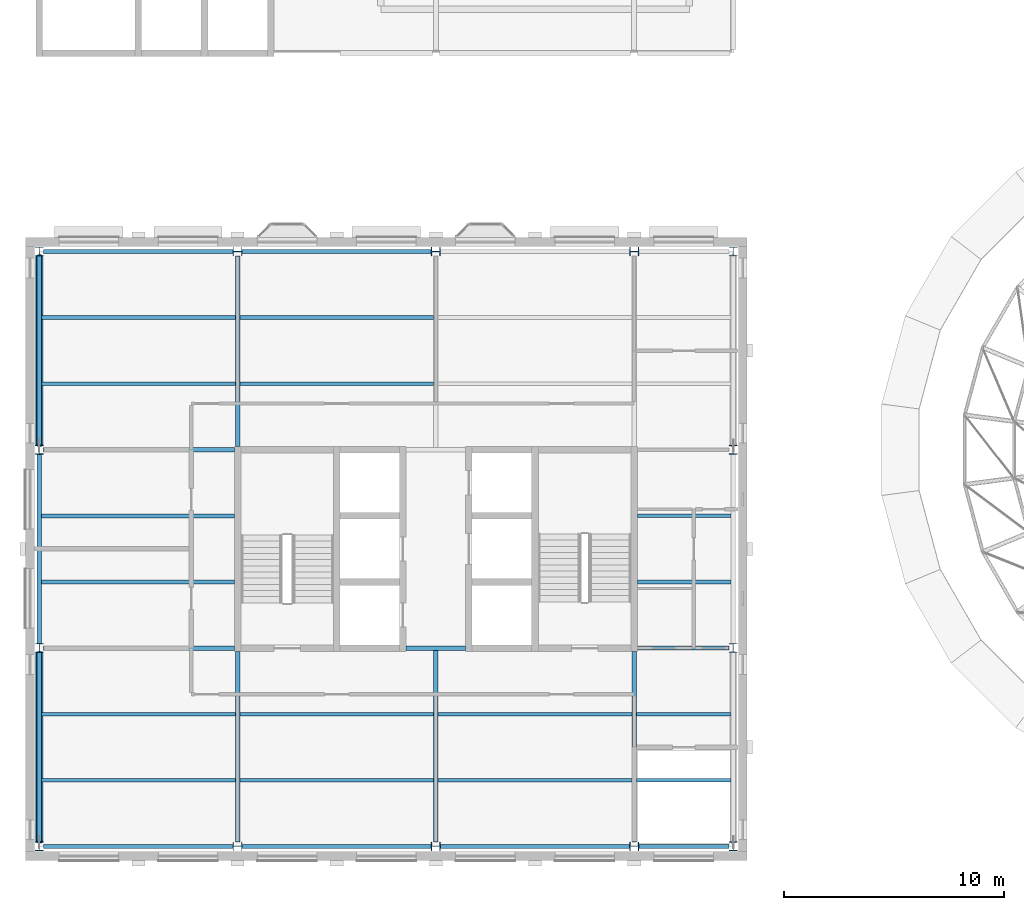
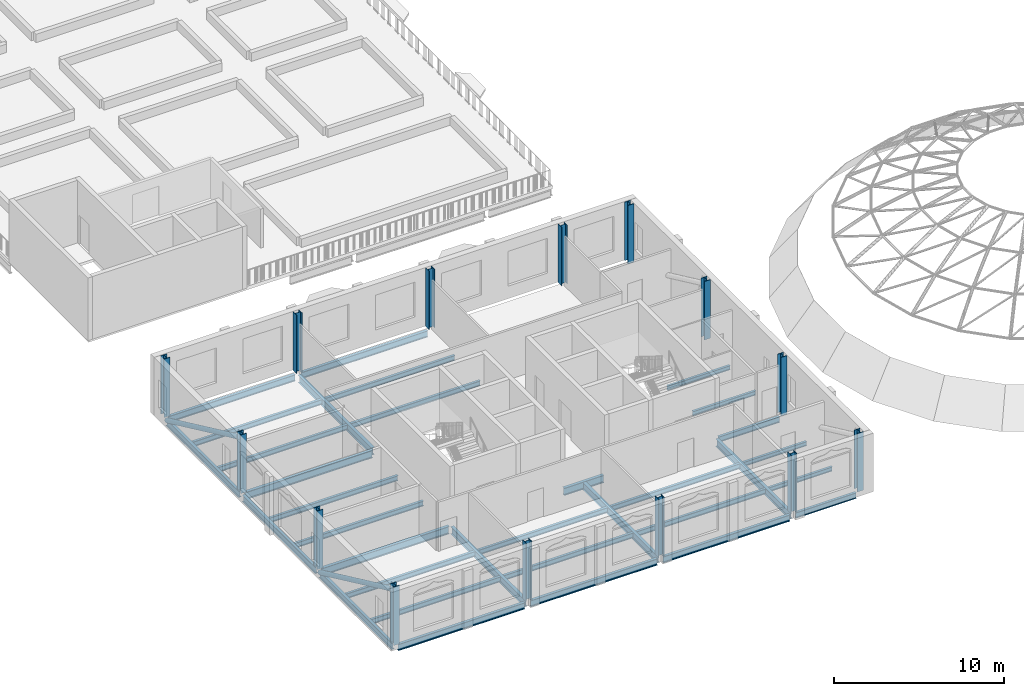
# One storey, part 1 of 33: 33 beams, 14 columns, 2 members.
"""IFC4 building model written with IfcOpenShell, lengths in metres."""

from ifc_helpers import new_model, si_unit, direction, frame, origin, origin_2d, place, context, subcontext, project, spatial, hollow_circle, i_section, extrude, material, material_profile, profile_set, type_object, element, save


model = new_model("IFC4")

# Units and contexts
model_context = context("Model", 3, precision=1e-05, world=origin(), true_north=direction((0.0, 1.0)))
body_context = subcontext(model_context, "Body", "Model", "MODEL_VIEW")
ifc_project = project(units=[si_unit("LENGTHUNIT", "METRE"), si_unit("AREAUNIT", "SQUARE_METRE"), si_unit("VOLUMEUNIT", "CUBIC_METRE"), si_unit("PLANEANGLEUNIT", "RADIAN"), si_unit("MASSUNIT", "GRAM", prefix="KILO")], contexts=[model_context])

# Site, building, storey
site_placement = place(None, origin())
site = spatial("IfcSite", under=ifc_project, at=site_placement, CompositionType="ELEMENT")
building_placement = place(site_placement, origin())
building = spatial("IfcBuilding", under=site, at=building_placement, Name="Hortulan Conservatory and Botanical Research Centre", CompositionType="ELEMENT")
storey_placement = place(building_placement, frame((0.0, 0.0, 19.199951171875)))
storey = spatial("IfcBuildingStorey", under=building, at=storey_placement, Name="L04", CompositionType="ELEMENT", Elevation=19.199951171875)

# Columns
ifc_material_1 = material(Name="Steel Grade 300 (AS/NZS 3679.2, plate AS/NZS 3678, 280 MPa minimum yield)", Category="steel")
ifc_material_profile_1 = material_profile(ifc_material_1, i_section(OverallWidth=0.39990234375, OverallDepth=0.422119140625, WebThickness=0.028076171875, FlangeThickness=0.035888671875, at=origin_2d()), Name="400WC303")
ifc_profile_set_1 = profile_set([ifc_material_profile_1], Name="Steel Grade 300 (AS/NZS 3679.2, plate AS/NZS 3678, 280 MPa minimum yield)")
column_type = type_object("IfcColumnType", Name="Tower Column 400WC303", PredefinedType="COLUMN", material=ifc_profile_set_1)
for number, where, z_axis, x_axis, name in (
    (1, (0.0, 0.0, 0.0), (0.0, 0.0, 1.0), (1.0, 0.0, 0.0), "400WC303 column"),
    (2, (0.0, 9.0, 0.0), (0.0, 0.0, 1.0), (1.0, 0.0, 0.0), "400WC303 column"),
    (3, (0.0, 18.0, 0.0), (0.0, 0.0, 1.0), (1.0, 0.0, 0.0), "400WC303 column"),
    (4, (0.0, 27.0, 0.0), (0.0, 0.0, 1.0), (1.0, 0.0, 0.0), "400WC303 column"),
    (5, (9.0, 0.0, 0.0), (0.0, 0.0, 1.0), (0.0, 1.0, 0.0), "400WC303 column"),
    (6, (9.0, 27.0, 0.0), (0.0, 0.0, 1.0), (0.0, 1.0, 0.0), "400WC303 column"),
    (7, (18.0, 0.0, 0.0), (0.0, 0.0, 1.0), (0.0, 1.0, 0.0), "400WC303 column"),
    (8, (18.0, 27.0, 0.0), (0.0, 0.0, 1.0), (0.0, 1.0, 0.0), "400WC303 column"),
    (9, (27.0, 0.0, 0.0), (0.0, 0.0, 1.0), (0.0, 1.0, 0.0), "400WC303 column"),
    (10, (27.0, 27.0, 0.0), (0.0, 0.0, 1.0), (0.0, 1.0, 0.0), "400WC303 column"),
    (11, (31.5, 0.0, 0.0), (0.0, 0.0, 1.0), (1.0, 0.0, 0.0), "400WC303 column"),
    (12, (31.5, 9.0, 0.0), (0.0, 0.0, 1.0), (1.0, 0.0, 0.0), "400WC303 column"),
    (13, (31.5, 18.0, 0.0), (0.0, 0.0, 1.0), (1.0, 0.0, 0.0), "400WC303 column"),
    (14, (31.5, 27.0, 0.0), (0.0, 0.0, 1.0), (1.0, 0.0, 0.0), "400WC303 column"),
):
    element("IfcColumn", number, at=place(storey_placement, frame(where, z_axis=z_axis, x_axis=x_axis)), inside=storey, type_object=column_type, Name=name, PredefinedType="COLUMN", context=body_context, shape_type="SweptSolid", body=[
        extrude(i_section(OverallWidth=0.39990234375, OverallDepth=0.422119140625, WebThickness=0.028076171875, FlangeThickness=0.035888671875, at=origin_2d()), origin(), (0.0, 0.0, 1.0), 4.199951171875),
    ])

# Members
ifc_material_2 = material(Name="Steel Grade C350L0 (350 MPa, AS/NZS 1163)", Category="steel")
ifc_material_profile_2 = material_profile(ifc_material_2, hollow_circle(Radius=0.161865234375, WallThickness=0.009521484375, at=origin_2d()), Name="323.9x9.5CHS")
ifc_profile_set_2 = profile_set([ifc_material_profile_2], Name="Steel Grade C350L0 (350 MPa, AS/NZS 1163)")
member_type = type_object("IfcMemberType", Name="Brace 323.9x9.5CHS", PredefinedType="BRACE", material=ifc_profile_set_2)
for number, where, z_axis, x_axis, name in (
    (15, (0.0, 8.7890625, -0.261474609375), (0.0, -0.906191046553, 0.422868522293), (1.0, 0.0, 0.0), "323.9x9.5CHS brace"),
    (16, (0.0, 26.7890625, -0.261474609375), (0.0, -0.906191046553, 0.422868522293), (1.0, 0.0, 0.0), "323.9x9.5CHS brace"),
):
    element("IfcMember", number, at=place(storey_placement, frame(where, z_axis=z_axis, x_axis=x_axis)), inside=storey, type_object=member_type, Name=name, PredefinedType="BRACE", context=body_context, shape_type="SweptSolid", body=[
        extrude(hollow_circle(Radius=0.161865234375, WallThickness=0.009521484375, at=origin_2d()), origin(), (0.0, 0.0, 1.0), 9.466064453125),
    ])

# Beams
ifc_material_3 = material(Name="Steel Grade 300PLUS (AS/NZS 3679.1, 280 MPa minimum yield)", Category="steel")
ifc_material_profile_3 = material_profile(ifc_material_3, i_section(OverallWidth=0.177978515625, OverallDepth=0.403076171875, WebThickness=0.007568359375, FlangeThickness=0.010986328125, FilletRadius=0.011474609375, at=origin_2d()), Name="410UB53.7")
ifc_profile_set_3 = profile_set([ifc_material_profile_3], Name="Steel Grade 300PLUS (AS/NZS 3679.1, 280 MPa minimum yield)")
beam_type_1 = type_object("IfcBeamType", Name="Primary Beam 410UB53.7", PredefinedType="BEAM", material=ifc_profile_set_3)
beam_1_placement = place(storey_placement, frame((27.2109375, 0.0, -0.33154296875), z_axis=(1.0, 0.0, 0.0), x_axis=(0.0, 1.0, 0.0)))
element("IfcBeam", 17, at=beam_1_placement, inside=storey, type_object=beam_type_1, Name="410UB53.7 girder", PredefinedType="BEAM", context=body_context, shape_type="SweptSolid", body=[
    extrude(i_section(OverallWidth=0.177978515625, OverallDepth=0.403076171875, WebThickness=0.007568359375, FlangeThickness=0.010986328125, FilletRadius=0.011474609375, at=origin_2d()), origin(), (0.0, 0.0, 1.0), 4.089111328125),
])
beam_2_placement = place(storey_placement, frame((27.14990234375, 9.0, -0.33154296875), z_axis=(1.0, 0.0, 0.0), x_axis=(0.0, 1.0, 0.0)))
element("IfcBeam", 18, at=beam_2_placement, inside=storey, type_object=beam_type_1, Name="410UB53.7 girder", PredefinedType="BEAM", context=body_context, shape_type="SweptSolid", body=[
    extrude(i_section(OverallWidth=0.177978515625, OverallDepth=0.403076171875, WebThickness=0.007568359375, FlangeThickness=0.010986328125, FilletRadius=0.011474609375, at=origin_2d()), origin(), (0.0, 0.0, 1.0), 4.150146484375),
])
ifc_material_profile_4 = material_profile(ifc_material_3, i_section(OverallWidth=0.19091796875, OverallDepth=0.4599609375, WebThickness=0.010009765625, FlangeThickness=0.01611328125, FilletRadius=0.011474609375, at=origin_2d()), Name="460UB82.1")
ifc_profile_set_4 = profile_set([ifc_material_profile_4], Name="Steel Grade 300PLUS (AS/NZS 3679.1, 280 MPa minimum yield)")
beam_type_2 = type_object("IfcBeamType", Name="Primary Beam 460UB82.1", PredefinedType="BEAM", material=ifc_profile_set_4)
beam_3_placement = place(storey_placement, frame((0.0, 0.2109375, -0.35986328125), z_axis=(0.0, 1.0, 0.0), x_axis=(-1.0, 0.0, 0.0)))
element("IfcBeam", 19, at=beam_3_placement, inside=storey, type_object=beam_type_2, Name="460UB82.1 girder", PredefinedType="BEAM", context=body_context, shape_type="SweptSolid", body=[
    extrude(i_section(OverallWidth=0.19091796875, OverallDepth=0.4599609375, WebThickness=0.010009765625, FlangeThickness=0.01611328125, FilletRadius=0.011474609375, at=origin_2d()), origin(), (0.0, 0.0, 1.0), 8.578125),
])
beam_4_placement = place(storey_placement, frame((0.199951171875, 0.0, -0.35986328125), z_axis=(1.0, 0.0, 0.0), x_axis=(0.0, 1.0, 0.0)))
element("IfcBeam", 20, at=beam_4_placement, inside=storey, type_object=beam_type_2, Name="460UB82.1 girder", PredefinedType="BEAM", context=body_context, shape_type="SweptSolid", body=[
    extrude(i_section(OverallWidth=0.19091796875, OverallDepth=0.4599609375, WebThickness=0.010009765625, FlangeThickness=0.01611328125, FilletRadius=0.011474609375, at=origin_2d()), origin(), (0.0, 0.0, 1.0), 8.589111328125),
])
for number, where, z_axis, x_axis, name in (
    (21, (0.0, 9.2109375, -0.35986328125), (0.0, 1.0, 0.0), (-1.0, 0.0, 0.0), "460UB82.1 girder"),
    (22, (0.0, 18.2109375, -0.35986328125), (0.0, 1.0, 0.0), (-1.0, 0.0, 0.0), "460UB82.1 girder"),
):
    element("IfcBeam", number, at=place(storey_placement, frame(where, z_axis=z_axis, x_axis=x_axis)), inside=storey, type_object=beam_type_2, Name=name, PredefinedType="BEAM", context=body_context, shape_type="SweptSolid", body=[
        extrude(i_section(OverallWidth=0.19091796875, OverallDepth=0.4599609375, WebThickness=0.010009765625, FlangeThickness=0.01611328125, FilletRadius=0.011474609375, at=origin_2d()), origin(), (0.0, 0.0, 1.0), 8.578125),
    ])
beam_5_placement = place(storey_placement, frame((0.199951171875, 27.0, -0.35986328125), z_axis=(1.0, 0.0, 0.0), x_axis=(0.0, 1.0, 0.0)))
element("IfcBeam", 23, at=beam_5_placement, inside=storey, type_object=beam_type_2, Name="460UB82.1 girder", PredefinedType="BEAM", context=body_context, shape_type="SweptSolid", body=[
    extrude(i_section(OverallWidth=0.19091796875, OverallDepth=0.4599609375, WebThickness=0.010009765625, FlangeThickness=0.01611328125, FilletRadius=0.011474609375, at=origin_2d()), origin(), (0.0, 0.0, 1.0), 8.589111328125),
])
for number, where, z_axis, x_axis, name in (
    (24, (9.2109375, 0.0, -0.35986328125), (1.0, 0.0, 0.0), (0.0, 1.0, 0.0), "460UB82.1 girder"),
    (25, (9.2109375, 27.0, -0.35986328125), (1.0, 0.0, 0.0), (0.0, 1.0, 0.0), "460UB82.1 girder"),
    (26, (18.2109375, 0.0, -0.35986328125), (1.0, 0.0, 0.0), (0.0, 1.0, 0.0), "460UB82.1 girder"),
):
    element("IfcBeam", number, at=place(storey_placement, frame(where, z_axis=z_axis, x_axis=x_axis)), inside=storey, type_object=beam_type_2, Name=name, PredefinedType="BEAM", context=body_context, shape_type="SweptSolid", body=[
        extrude(i_section(OverallWidth=0.19091796875, OverallDepth=0.4599609375, WebThickness=0.010009765625, FlangeThickness=0.01611328125, FilletRadius=0.011474609375, at=origin_2d()), origin(), (0.0, 0.0, 1.0), 8.578125),
    ])
ifc_material_profile_5 = material_profile(ifc_material_3, i_section(OverallWidth=0.208984375, OverallDepth=0.532958984375, WebThickness=0.01025390625, FlangeThickness=0.015625, FilletRadius=0.013916015625, at=origin_2d()), Name="530UB92.4")
ifc_profile_set_5 = profile_set([ifc_material_profile_5], Name="Steel Grade 300PLUS (AS/NZS 3679.1, 280 MPa minimum yield)")
beam_type_3 = type_object("IfcBeamType", Name="Primary Beam 530UB92.4", PredefinedType="BEAM", material=ifc_profile_set_5)
for number, where, z_axis, x_axis, name in (
    (27, (0.199951171875, 9.0, -0.396484375), (1.0, 0.0, 0.0), (0.0, 1.0, 0.0), "530UB92.4 girder"),
    (28, (0.199951171875, 18.0, -0.396484375), (1.0, 0.0, 0.0), (0.0, 1.0, 0.0), "530UB92.4 girder"),
    (29, (9.0, 0.199951171875, -0.396484375), (0.0, 1.0, 0.0), (-1.0, 0.0, 0.0), "530UB92.4 girder"),
    (30, (9.0, 18.14990234375, -0.396484375), (0.0, 1.0, 0.0), (-1.0, 0.0, 0.0), "530UB92.4 girder"),
):
    element("IfcBeam", number, at=place(storey_placement, frame(where, z_axis=z_axis, x_axis=x_axis)), inside=storey, type_object=beam_type_3, Name=name, PredefinedType="BEAM", context=body_context, shape_type="SweptSolid", body=[
        extrude(i_section(OverallWidth=0.208984375, OverallDepth=0.532958984375, WebThickness=0.01025390625, FlangeThickness=0.015625, FilletRadius=0.013916015625, at=origin_2d()), origin(), (0.0, 0.0, 1.0), 8.650146484375),
    ])
beam_6_placement = place(storey_placement, frame((16.64990234375, 9.0, -0.396484375), z_axis=(1.0, 0.0, 0.0), x_axis=(0.0, 1.0, 0.0)))
element("IfcBeam", 31, at=beam_6_placement, inside=storey, type_object=beam_type_3, Name="530UB92.4 girder", PredefinedType="BEAM", context=body_context, shape_type="SweptSolid", body=[
    extrude(i_section(OverallWidth=0.208984375, OverallDepth=0.532958984375, WebThickness=0.01025390625, FlangeThickness=0.015625, FilletRadius=0.013916015625, at=origin_2d()), origin(), (0.0, 0.0, 1.0), 2.7001953125),
])
beam_7_placement = place(storey_placement, frame((18.0, 0.199951171875, -0.396484375), z_axis=(0.0, 1.0, 0.0), x_axis=(-1.0, 0.0, 0.0)))
element("IfcBeam", 32, at=beam_7_placement, inside=storey, type_object=beam_type_3, Name="530UB92.4 girder", PredefinedType="BEAM", context=body_context, shape_type="SweptSolid", body=[
    extrude(i_section(OverallWidth=0.208984375, OverallDepth=0.532958984375, WebThickness=0.01025390625, FlangeThickness=0.015625, FilletRadius=0.013916015625, at=origin_2d()), origin(), (0.0, 0.0, 1.0), 8.800048828125),
])
beam_8_placement = place(storey_placement, frame((27.0, 0.199951171875, -0.396484375), z_axis=(0.0, 1.0, 0.0), x_axis=(-1.0, 0.0, 0.0)))
element("IfcBeam", 33, at=beam_8_placement, inside=storey, type_object=beam_type_3, Name="530UB92.4 girder", PredefinedType="BEAM", context=body_context, shape_type="SweptSolid", body=[
    extrude(i_section(OverallWidth=0.208984375, OverallDepth=0.532958984375, WebThickness=0.01025390625, FlangeThickness=0.015625, FilletRadius=0.013916015625, at=origin_2d()), origin(), (0.0, 0.0, 1.0), 8.650146484375),
])
ifc_material_profile_6 = material_profile(ifc_material_3, i_section(OverallWidth=0.1650390625, OverallDepth=0.303955078125, WebThickness=0.006103515625, FlangeThickness=0.01025390625, FilletRadius=0.011474609375, at=origin_2d()), Name="310UB40.4")
ifc_profile_set_6 = profile_set([ifc_material_profile_6], Name="Steel Grade 300PLUS (AS/NZS 3679.1, 280 MPa minimum yield)")
beam_type_4 = type_object("IfcBeamType", Name="Secondary Beam 310UB40.4", PredefinedType="JOIST", material=ifc_profile_set_6)
for number, where, z_axis, x_axis, name in (
    (34, (27.1044921875, 3.0, -0.281982421875), (1.0, 0.0, 0.0), (0.0, 1.0, 0.0), "310UB40.4 secondary beam"),
    (35, (27.1044921875, 6.0, -0.281982421875), (1.0, 0.0, 0.0), (0.0, 1.0, 0.0), "310UB40.4 secondary beam"),
):
    element("IfcBeam", number, at=place(storey_placement, frame(where, z_axis=z_axis, x_axis=x_axis)), inside=storey, type_object=beam_type_4, Name=name, PredefinedType="JOIST", context=body_context, shape_type="SweptSolid", body=[
        extrude(i_section(OverallWidth=0.1650390625, OverallDepth=0.303955078125, WebThickness=0.006103515625, FlangeThickness=0.01025390625, FilletRadius=0.011474609375, at=origin_2d()), origin(), (0.0, 0.0, 1.0), 4.300048828125),
    ])
for number, where, z_axis, x_axis, name in (
    (36, (27.14990234375, 12.0, -0.281982421875), (1.0, 0.0, 0.0), (0.0, 1.0, 0.0), "310UB40.4 secondary beam"),
    (37, (27.14990234375, 15.0, -0.281982421875), (1.0, 0.0, 0.0), (0.0, 1.0, 0.0), "310UB40.4 secondary beam"),
):
    element("IfcBeam", number, at=place(storey_placement, frame(where, z_axis=z_axis, x_axis=x_axis)), inside=storey, type_object=beam_type_4, Name=name, PredefinedType="JOIST", context=body_context, shape_type="SweptSolid", body=[
        extrude(i_section(OverallWidth=0.1650390625, OverallDepth=0.303955078125, WebThickness=0.006103515625, FlangeThickness=0.01025390625, FilletRadius=0.011474609375, at=origin_2d()), origin(), (0.0, 0.0, 1.0), 4.254638671875),
    ])
ifc_material_profile_7 = material_profile(ifc_material_3, i_section(OverallWidth=0.172119140625, OverallDepth=0.35888671875, WebThickness=0.008056640625, FlangeThickness=0.012939453125, FilletRadius=0.011474609375, at=origin_2d()), Name="360UB56.7")
ifc_profile_set_7 = profile_set([ifc_material_profile_7], Name="Steel Grade 300PLUS (AS/NZS 3679.1, 280 MPa minimum yield)")
beam_type_5 = type_object("IfcBeamType", Name="Secondary Beam 360UB56.7", PredefinedType="JOIST", material=ifc_profile_set_7)
for number, where, z_axis, x_axis, name in (
    (38, (0.095458984375, 3.0, -0.3095703125), (1.0, 0.0, 0.0), (0.0, 1.0, 0.0), "360UB56.7 secondary beam"),
    (39, (0.095458984375, 6.0, -0.3095703125), (1.0, 0.0, 0.0), (0.0, 1.0, 0.0), "360UB56.7 secondary beam"),
):
    element("IfcBeam", number, at=place(storey_placement, frame(where, z_axis=z_axis, x_axis=x_axis)), inside=storey, type_object=beam_type_5, Name=name, PredefinedType="JOIST", context=body_context, shape_type="SweptSolid", body=[
        extrude(i_section(OverallWidth=0.172119140625, OverallDepth=0.35888671875, WebThickness=0.008056640625, FlangeThickness=0.012939453125, FilletRadius=0.011474609375, at=origin_2d()), origin(), (0.0, 0.0, 1.0), 8.800048828125),
    ])
for number, where, z_axis, x_axis, name in (
    (40, (0.095458984375, 12.0, -0.3095703125), (1.0, 0.0, 0.0), (0.0, 1.0, 0.0), "360UB56.7 secondary beam"),
    (41, (0.095458984375, 15.0, -0.3095703125), (1.0, 0.0, 0.0), (0.0, 1.0, 0.0), "360UB56.7 secondary beam"),
):
    element("IfcBeam", number, at=place(storey_placement, frame(where, z_axis=z_axis, x_axis=x_axis)), inside=storey, type_object=beam_type_5, Name=name, PredefinedType="JOIST", context=body_context, shape_type="SweptSolid", body=[
        extrude(i_section(OverallWidth=0.172119140625, OverallDepth=0.35888671875, WebThickness=0.008056640625, FlangeThickness=0.012939453125, FilletRadius=0.011474609375, at=origin_2d()), origin(), (0.0, 0.0, 1.0), 8.754638671875),
    ])
for number, where, z_axis, x_axis, name in (
    (42, (0.095458984375, 21.0, -0.3095703125), (1.0, 0.0, 0.0), (0.0, 1.0, 0.0), "360UB56.7 secondary beam"),
    (43, (0.095458984375, 24.0, -0.3095703125), (1.0, 0.0, 0.0), (0.0, 1.0, 0.0), "360UB56.7 secondary beam"),
):
    element("IfcBeam", number, at=place(storey_placement, frame(where, z_axis=z_axis, x_axis=x_axis)), inside=storey, type_object=beam_type_5, Name=name, PredefinedType="JOIST", context=body_context, shape_type="SweptSolid", body=[
        extrude(i_section(OverallWidth=0.172119140625, OverallDepth=0.35888671875, WebThickness=0.008056640625, FlangeThickness=0.012939453125, FilletRadius=0.011474609375, at=origin_2d()), origin(), (0.0, 0.0, 1.0), 8.800048828125),
    ])
for number, where, z_axis, x_axis, name in (
    (44, (9.1044921875, 3.0, -0.3095703125), (1.0, 0.0, 0.0), (0.0, 1.0, 0.0), "360UB56.7 secondary beam"),
    (45, (9.1044921875, 6.0, -0.3095703125), (1.0, 0.0, 0.0), (0.0, 1.0, 0.0), "360UB56.7 secondary beam"),
    (46, (9.1044921875, 21.0, -0.3095703125), (1.0, 0.0, 0.0), (0.0, 1.0, 0.0), "360UB56.7 secondary beam"),
    (47, (9.1044921875, 24.0, -0.3095703125), (1.0, 0.0, 0.0), (0.0, 1.0, 0.0), "360UB56.7 secondary beam"),
    (48, (18.1044921875, 3.0, -0.3095703125), (1.0, 0.0, 0.0), (0.0, 1.0, 0.0), "360UB56.7 secondary beam"),
    (49, (18.1044921875, 6.0, -0.3095703125), (1.0, 0.0, 0.0), (0.0, 1.0, 0.0), "360UB56.7 secondary beam"),
):
    element("IfcBeam", number, at=place(storey_placement, frame(where, z_axis=z_axis, x_axis=x_axis)), inside=storey, type_object=beam_type_5, Name=name, PredefinedType="JOIST", context=body_context, shape_type="SweptSolid", body=[
        extrude(i_section(OverallWidth=0.172119140625, OverallDepth=0.35888671875, WebThickness=0.008056640625, FlangeThickness=0.012939453125, FilletRadius=0.011474609375, at=origin_2d()), origin(), (0.0, 0.0, 1.0), 8.791015625),
    ])

save(model, "model.ifc")
